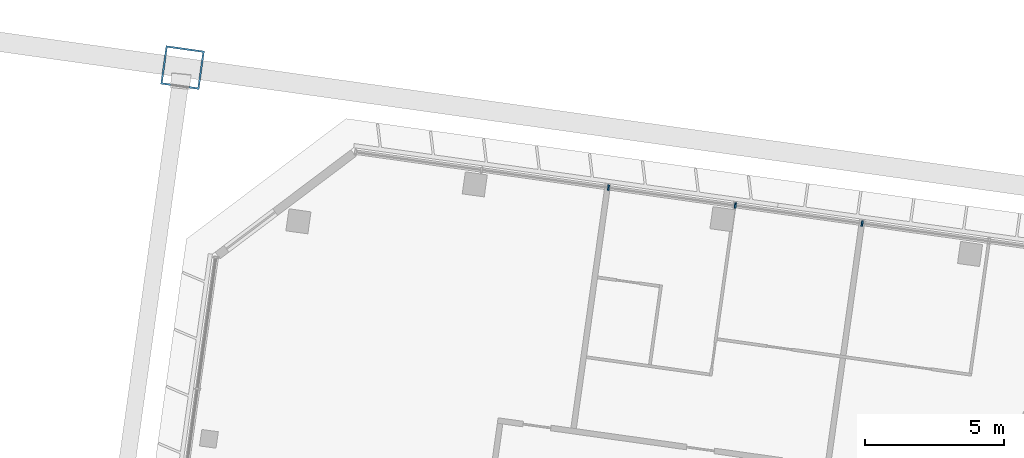
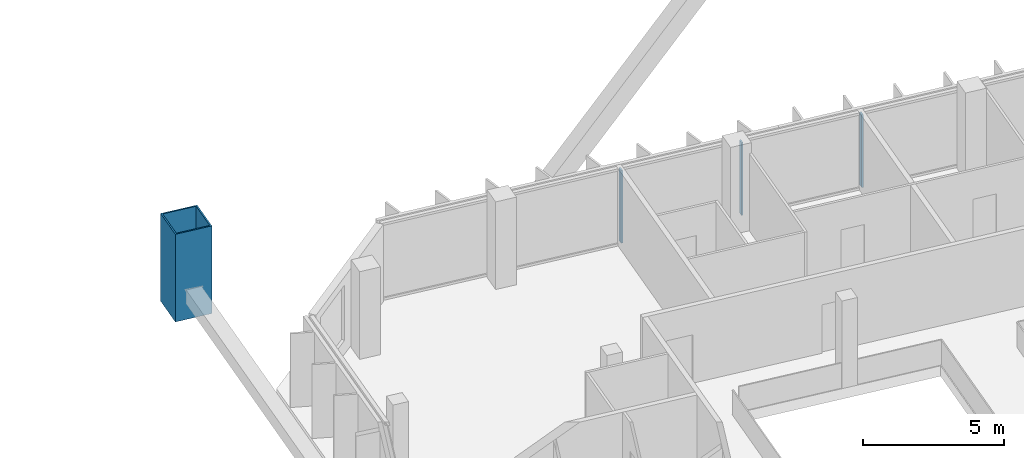
# One storey, part 9 of 38: 4 members, 1 element without a shape of its own.
"""IFC4 building model written with IfcOpenShell, lengths in metres."""

from ifc_helpers import new_model, si_unit, direction, frame, origin, origin_2d, place, context, subcontext, project, spatial, rectangle, hollow_rectangle, extrude, material, material_profile, profile_set, type_object, element, aggregate, save


model = new_model("IFC4")

# Units and contexts
model_context = context("Model", 3, precision=1e-05, world=origin(), true_north=direction((0.0, 1.0)))
body_context = subcontext(model_context, "Body", "Model", "MODEL_VIEW")
ifc_project = project(units=[si_unit("LENGTHUNIT", "METRE"), si_unit("AREAUNIT", "SQUARE_METRE"), si_unit("VOLUMEUNIT", "CUBIC_METRE"), si_unit("PLANEANGLEUNIT", "RADIAN"), si_unit("MASSUNIT", "GRAM", prefix="KILO")], contexts=[model_context])

# Site, building, storey
site_placement = place(None, origin())
site = spatial("IfcSite", under=ifc_project, at=site_placement, CompositionType="ELEMENT")
building_placement = place(site_placement, origin())
building = spatial("IfcBuilding", under=site, at=building_placement, Name="Mirante Cascada Hotel Towers", CompositionType="ELEMENT")
storey_placement = place(building_placement, frame((0.0, 0.0, 184.0)))
storey = spatial("IfcBuildingStorey", under=building, at=storey_placement, Name="L43", CompositionType="ELEMENT", Elevation=184.0)

# Member
ifc_material_1 = material(Name="Steel ASTM A572 Gr 50", Category="steel")
ifc_material_profile_1 = material_profile(ifc_material_1, hollow_rectangle(XDim=1.4, YDim=1.4, WallThickness=0.06, at=origin_2d()), Name="Box post 1400x1400x60 ASTM A572 Gr 50")
ifc_profile_set_1 = profile_set([ifc_material_profile_1], Name="Steel ASTM A572 Gr 50")
member_type_1 = type_object("IfcMemberType", Name="Box post 1400x1400x60 ASTM A572 Gr 50", PredefinedType="POST", material=ifc_profile_set_1)
member_1_placement = place(storey_placement, frame((-82.5324, 26.5893, 0.0), z_axis=(0.0, 0.0, 1.0), x_axis=(-0.9902681, 0.1391731, 0.0)))
element("IfcMember", 1, at=member_1_placement, inside=storey, type_object=member_type_1, Name="Mega column MP3 T1 L43", PredefinedType="POST", context=body_context, shape_type="SweptSolid", body=[
    extrude(hollow_rectangle(XDim=1.4, YDim=1.4, WallThickness=0.06, at=origin_2d()), origin(), (0.0, 0.0, 1.0), 3.8),
])

# Curtain wall, members
ifc_material_2 = material(Name="Aluminium mullion and transom frame with clear laminated glass", Category="aluminium")
curtain_wall_type = type_object("IfcCurtainWallType", Name="Ribbon curtain wall ECW1", PredefinedType="NOTDEFINED", material=ifc_material_2)
curtain_wall_placement = place(storey_placement, origin())
curtain_wall = element("IfcCurtainWall", 2, at=curtain_wall_placement, inside=storey, type_object=curtain_wall_type, Name="Front ribbon wall T1 L43", PredefinedType="NOTDEFINED")
ifc_material_3 = material(Name="Anodised aluminium extrusion", Category="aluminium")
ifc_material_profile_2 = material_profile(ifc_material_3, rectangle(XDim=0.2, YDim=0.065, at=origin_2d()), Name="ECW1 MULLION 65x200")
ifc_profile_set_2 = profile_set([ifc_material_profile_2], Name="Anodised aluminium extrusion")
member_type_2 = type_object("IfcMemberType", Name="ECW1 mullion 65x200", PredefinedType="MULLION", material=ifc_profile_set_2)
member_2_placement = place(storey_placement, frame((-67.2038, 22.2639, 0.1), z_axis=(0.0, 0.0, 1.0), x_axis=(0.1391731, 0.9902681, 0.0)))
member_2 = element("IfcMember", 3, at=member_2_placement, type_object=member_type_2, Name="ECW1 mullion 3", PredefinedType="MULLION", context=body_context, shape_type="SweptSolid", body=[
    extrude(rectangle(XDim=0.2, YDim=0.065, at=origin_2d()), origin(), (0.0, 0.0, 1.0), 3.15),
])
member_3_placement = place(storey_placement, frame((-62.6391, 21.6224, 0.1), z_axis=(0.0, 0.0, 1.0), x_axis=(0.1391731, 0.9902681, 0.0)))
member_3 = element("IfcMember", 4, at=member_3_placement, type_object=member_type_2, Name="ECW1 mullion 4", PredefinedType="MULLION", context=body_context, shape_type="SweptSolid", body=[
    extrude(rectangle(XDim=0.2, YDim=0.065, at=origin_2d()), origin(), (0.0, 0.0, 1.0), 3.15),
])
member_4_placement = place(storey_placement, frame((-58.0743, 20.9808, 0.1), z_axis=(0.0, 0.0, 1.0), x_axis=(0.1391731, 0.9902681, 0.0)))
member_4 = element("IfcMember", 5, at=member_4_placement, type_object=member_type_2, Name="ECW1 mullion 5", PredefinedType="MULLION", context=body_context, shape_type="SweptSolid", body=[
    extrude(rectangle(XDim=0.2, YDim=0.065, at=origin_2d()), origin(), (0.0, 0.0, 1.0), 3.15),
])
aggregate(curtain_wall, [member_2, member_3, member_4])

save(model, "model.ifc")
